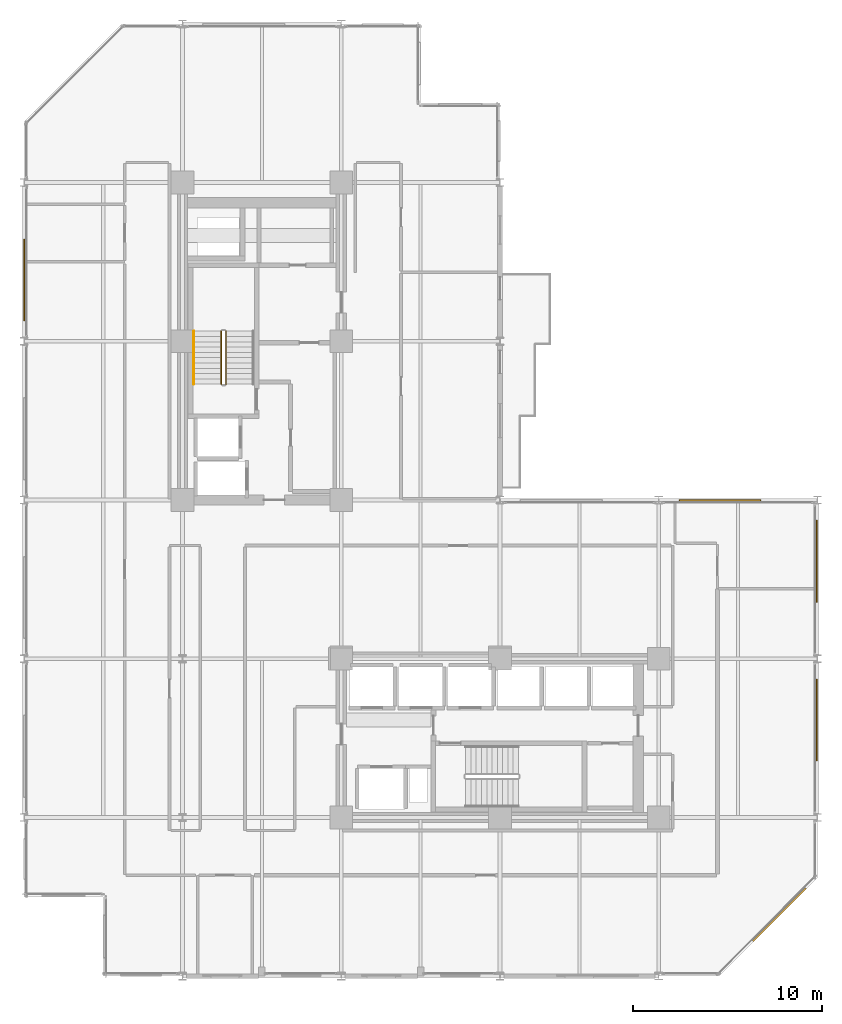
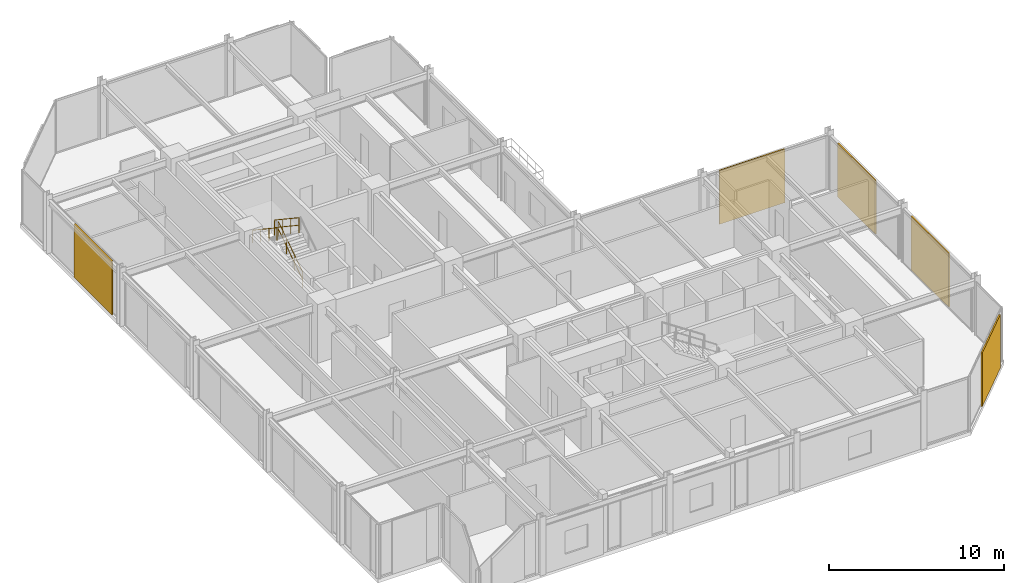
# One storey, part 28 of 29: 5 coverings, 3 railings.
"""IFC4 building model written with IfcOpenShell, lengths in metres."""

from ifc_helpers import new_model, si_unit, direction, frame, origin, origin_2d, place, context, subcontext, project, spatial, rectangle, circle, extrude, material, layer, layer_set, type_object, element, save


model = new_model("IFC4")

# Units and contexts
model_context = context("Model", 3, precision=1e-05, world=origin(), true_north=direction((0.0, 1.0)))
body_context = subcontext(model_context, "Body", "Model", "MODEL_VIEW")
ifc_project = project(units=[si_unit("LENGTHUNIT", "METRE"), si_unit("AREAUNIT", "SQUARE_METRE"), si_unit("VOLUMEUNIT", "CUBIC_METRE"), si_unit("PLANEANGLEUNIT", "RADIAN"), si_unit("MASSUNIT", "GRAM", prefix="KILO")], contexts=[model_context])

# Site, building, storey
site_placement = place(None, origin())
site = spatial("IfcSite", under=ifc_project, at=site_placement, CompositionType="ELEMENT")
building_placement = place(site_placement, origin())
building = spatial("IfcBuilding", under=site, at=building_placement, Name="Nerrivon Quay Data Exchange", CompositionType="ELEMENT")
storey_placement = place(building_placement, frame((0.0, 0.0, 158.199951171875)))
storey = spatial("IfcBuildingStorey", under=building, at=storey_placement, Name="L37", CompositionType="ELEMENT", Elevation=158.199951171875)

# Coverings
ifc_material_1 = material(Name="Architectural terracotta ceramic", Category="masonry")
ifc_layer = layer(ifc_material_1, 0.090087890625)
ifc_layer_set = layer_set([ifc_layer], Name="Architectural terracotta ceramic")
covering_type = type_object("IfcCoveringType", Name="COV-SCR-TERR", PredefinedType="CLADDING", material=ifc_layer_set)
covering_placement = place(storey_placement, frame((39.9921875, 3.255859375, 0.0), z_axis=(0.0, 0.0, 1.0), x_axis=(-0.707106781187, -0.707106781187, 0.0)))
element("IfcCovering", 1, at=covering_placement, inside=storey, type_object=covering_type, Name="L37 Perforated Terracotta SOLAR SCREEN Cassette", PredefinedType="CLADDING", context=body_context, shape_type="SweptSolid", body=[
    extrude(rectangle(XDim=3.970947265625, YDim=0.090087890625, at=origin_2d()), origin(), (0.0, 0.0, 1.0), 3.75),
])
for number, where, z_axis, x_axis, name in (
    (2, (0.044921875, 36.840087890625, 0.0), (0.0, 0.0, 1.0), (0.0, 1.0, 0.0), "L37 Perforated Terracotta SOLAR SCREEN Cassette"),
    (3, (36.840087890625, 25.155029296875, 0.0), (0.0, 0.0, 1.0), (1.0, 0.0, 0.0), "L37 Perforated Terracotta SOLAR SCREEN Cassette"),
    (4, (41.955078125, 21.9599609375, 0.0), (0.0, 0.0, 1.0), (0.0, -1.0, 0.0), "L37 Perforated Terracotta SOLAR SCREEN Cassette"),
    (5, (41.955078125, 13.56005859375, 0.0), (0.0, 0.0, 1.0), (0.0, -1.0, 0.0), "L37 Perforated Terracotta SOLAR SCREEN Cassette"),
):
    element("IfcCovering", number, at=place(storey_placement, frame(where, z_axis=z_axis, x_axis=x_axis)), inside=storey, type_object=covering_type, Name=name, PredefinedType="CLADDING", context=body_context, shape_type="SweptSolid", body=[
        extrude(rectangle(XDim=4.320068359375, YDim=0.090087890625, at=origin_2d()), origin(), (0.0, 0.0, 1.0), 3.75),
    ])

# Railings
ifc_material_2 = material(Name="Steel Grade C350L0 (350 MPa)", Category="steel")
railing_type_1 = type_object("IfcRailingType", Name="RAIL-HAND-HR1", PredefinedType="HANDRAIL", material=ifc_material_2)
railing_1_placement = place(storey_placement, frame((9.0, 34.1298828125, 2.236328125)))
element("IfcRailing", 6, at=railing_1_placement, inside=storey, type_object=railing_type_1, Name="L37 ST01 stair handrail 2", PredefinedType="HANDRAIL", context=body_context, shape_type="SweptSolid", body=[
    extrude(circle(Radius=0.02392578125, at=origin_2d()), frame((0.0, 0.0, 0.8759765625), z_axis=(0.0, -0.832429786209, 0.554130536094), x_axis=(1.0, 0.0, 0.0)), (0.0, 0.0, 1.0), 3.363525390625),
    extrude(circle(Radius=0.02099609375, at=origin_2d()), origin(), (0.0, 0.0, 1.0), 0.851806640625),
    extrude(circle(Radius=0.02099609375, at=origin_2d()), frame((0.0, -0.933349609375, 0.621337890625)), (0.0, 0.0, 1.0), 0.851806640625),
    extrude(circle(Radius=0.02099609375, at=origin_2d()), frame((0.0, -1.866455078125, 1.242431640625)), (0.0, 0.0, 1.0), 0.851806640625),
    extrude(circle(Radius=0.02099609375, at=origin_2d()), frame((0.0, -2.7998046875, 1.86376953125)), (0.0, 0.0, 1.0), 0.851806640625),
])
railing_type_2 = type_object("IfcRailingType", Name="RAIL-STAIR-GR1", PredefinedType="BALUSTRADE", material=ifc_material_2)
railing_2_placement = place(storey_placement, frame((10.699951171875, 31.330078125, 0.1865234375)))
element("IfcRailing", 7, at=railing_2_placement, inside=storey, type_object=railing_type_2, Name="L37 ST01 stair guard 1", PredefinedType="BALUSTRADE", context=body_context, shape_type="SweptSolid", body=[
    extrude(circle(Radius=0.02392578125, at=origin_2d()), frame((0.0, 0.0, 1.076171875), z_axis=(0.0, 0.832463268671, 0.554080234545), x_axis=(-1.0, 0.0, 0.0)), (0.0, 0.0, 1.0), 3.36328125),
    extrude(circle(Radius=0.02392578125, at=origin_2d()), frame((0.0, 0.0, 0.550048828125), z_axis=(0.0, 0.832463268671, 0.554080234545), x_axis=(-1.0, 0.0, 0.0)), (0.0, 0.0, 1.0), 3.36328125),
    extrude(circle(Radius=0.02099609375, at=origin_2d()), origin(), (0.0, 0.0, 1.0), 1.052001953125),
    extrude(circle(Radius=0.02099609375, at=origin_2d()), frame((0.0, 0.933349609375, 0.62109375)), (0.0, 0.0, 1.0), 1.052001953125),
    extrude(circle(Radius=0.02099609375, at=origin_2d()), frame((0.0, 1.866455078125, 1.242431640625)), (0.0, 0.0, 1.0), 1.052001953125),
    extrude(circle(Radius=0.02099609375, at=origin_2d()), frame((0.0, 2.7998046875, 1.863525390625)), (0.0, 0.0, 1.0), 1.052001953125),
])
railing_3_placement = place(storey_placement, frame((10.449951171875, 34.1298828125, 2.236328125)))
element("IfcRailing", 8, at=railing_3_placement, inside=storey, type_object=railing_type_2, Name="L37 ST01 stair guard 3", PredefinedType="BALUSTRADE", context=body_context, shape_type="SweptSolid", body=[
    extrude(circle(Radius=0.02392578125, at=origin_2d()), frame((0.0, 0.0, 1.076171875), z_axis=(0.0, -0.832429786209, 0.554130536094), x_axis=(1.0, 0.0, 0.0)), (0.0, 0.0, 1.0), 3.363525390625),
    extrude(circle(Radius=0.02392578125, at=origin_2d()), frame((0.0, 0.0, 0.550048828125), z_axis=(0.0, -0.832429786209, 0.554130536094), x_axis=(1.0, 0.0, 0.0)), (0.0, 0.0, 1.0), 3.363525390625),
    extrude(circle(Radius=0.02099609375, at=origin_2d()), origin(), (0.0, 0.0, 1.0), 1.052001953125),
    extrude(circle(Radius=0.02099609375, at=origin_2d()), frame((0.0, -0.933349609375, 0.621337890625)), (0.0, 0.0, 1.0), 1.052001953125),
    extrude(circle(Radius=0.02099609375, at=origin_2d()), frame((0.0, -1.866455078125, 1.242431640625)), (0.0, 0.0, 1.0), 1.052001953125),
    extrude(circle(Radius=0.02099609375, at=origin_2d()), frame((0.0, -2.7998046875, 1.86376953125)), (0.0, 0.0, 1.0), 1.052001953125),
])

save(model, "model.ifc")
